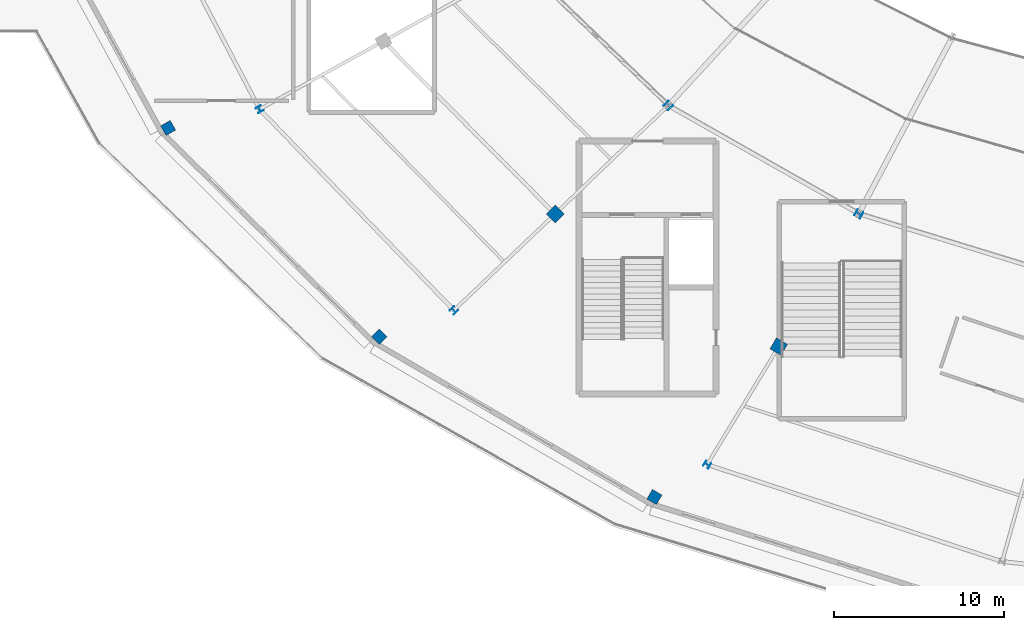
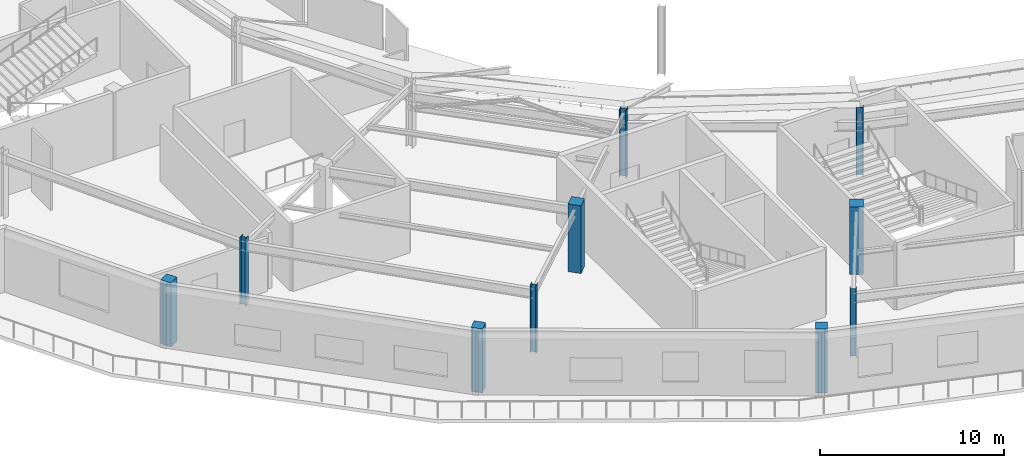
# One storey, part 1 of 63: 10 columns.
"""IFC4 building model written with IfcOpenShell, lengths in metres."""

import ifcopenshell
import ifcopenshell.guid

model = None  # the IFC model being written
_history = None  # IfcOwnerHistory: only IFC2X3 demands one
_inside = {}  # id of a spatial element -> (the spatial element, [elements in it])
_under = {}  # id of a project, library or spatial element -> (it, [spatial elements below it])
_declared = {}  # id of a project -> (the project, [libraries it declares])
_typed = {}  # id of a type object -> (the type object, [elements of that type])
_made_of = {}  # id of a material, layer set ... -> (it, [elements and type objects made of it])


def new_model(schema):
    """Start an empty IFC model of exactly this schema.

    Asked for "IFC4X3", IfcOpenShell would pick the latest addendum, in which some entities
    have other attributes; the version numbers below select the first issue.
    IFC2X3 requires an IfcOwnerHistory on every rooted entity: one is made here for all.
    """
    global model, _history
    if schema == "IFC4X3":
        model = ifcopenshell.file(schema_version=(4, 3, 0, 0))
    else:
        model = ifcopenshell.file(schema=schema)
    _inside.clear()
    _under.clear()
    _declared.clear()
    _typed.clear()
    _made_of.clear()
    _history = None
    if model.schema == "IFC2X3":
        org = make("IfcOrganization", Name="unknown")
        user = make(
            "IfcPersonAndOrganization",
            ThePerson=make("IfcPerson", FamilyName="unknown"),
            TheOrganization=org,
        )
        app = make(
            "IfcApplication",
            ApplicationDeveloper=org,
            Version="unknown",
            ApplicationFullName="unknown",
            ApplicationIdentifier="unknown",
        )
        _history = make(
            "IfcOwnerHistory",
            OwningUser=user,
            OwningApplication=app,
            ChangeAction="ADDED",
            CreationDate=0,
        )
    return model


def make(cls, **values):
    """One entity of the class cls with the attributes given. An attribute that is None is left unset."""
    return model.create_entity(
        cls, **{name: value for name, value in values.items() if value is not None}
    )


def rooted(cls, **values):
    """An entity with a GlobalId (a new one), such as an element, a storey or a relation."""
    return make(cls, GlobalId=ifcopenshell.guid.new(), OwnerHistory=_history, **values)


def si_unit(unit_type, name, prefix=None):
    """IfcSIUnit, for example si_unit("LENGTHUNIT", "METRE", prefix="MILLI")."""
    return make("IfcSIUnit", UnitType=unit_type, Prefix=prefix, Name=name)


def assignment(units):
    """IfcUnitAssignment: the units of a project."""
    return None if units is None else make("IfcUnitAssignment", Units=units)


def point(xyz):
    """IfcCartesianPoint."""
    return None if xyz is None else make("IfcCartesianPoint", Coordinates=xyz)


def direction(xyz):
    """IfcDirection."""
    return None if xyz is None else make("IfcDirection", DirectionRatios=xyz)


def frame(location, z_axis=None, x_axis=None):
    """IfcAxis2Placement3D, a coordinate frame: its origin and axes. An axis left out is left unset."""
    return make(
        "IfcAxis2Placement3D",
        Location=point(location),
        Axis=direction(z_axis),
        RefDirection=direction(x_axis),
    )


def frame_2d(location, x_axis=None):
    """IfcAxis2Placement2D, a coordinate frame in the plane: its origin and x axis."""
    return make(
        "IfcAxis2Placement2D", Location=point(location), RefDirection=direction(x_axis)
    )


def origin():
    """The frame at (0, 0, 0) with its axes left unset."""
    return frame((0.0, 0.0, 0.0))


def origin_2d():
    """The frame at (0, 0) in the plane with its x axis left unset."""
    return frame_2d((0.0, 0.0))


def place(relative_to, where):
    """IfcLocalPlacement: puts the frame where relative to a parent placement (None: the world)."""
    return make(
        "IfcLocalPlacement", PlacementRelTo=relative_to, RelativePlacement=where
    )


def context(
    kind, dimensions, precision=None, world=None, true_north=None, identifier=None
):
    """IfcGeometricRepresentationContext, for example the 3D "Model" context."""
    return make(
        "IfcGeometricRepresentationContext",
        ContextIdentifier=identifier,
        ContextType=kind,
        CoordinateSpaceDimension=dimensions,
        Precision=precision,
        WorldCoordinateSystem=world,
        TrueNorth=true_north,
    )


def subcontext(parent, identifier, kind, view, scale=None):
    """IfcGeometricRepresentationSubContext, for example "Body" below "Model"."""
    return make(
        "IfcGeometricRepresentationSubContext",
        ContextIdentifier=identifier,
        ContextType=kind,
        ParentContext=parent,
        TargetScale=scale,
        TargetView=view,
    )


def project(units=None, contexts=None):
    """IfcProject with its units and contexts."""
    return rooted(
        "IfcProject",
        Name="project",
        RepresentationContexts=contexts,
        UnitsInContext=assignment(units),
    )


def spatial(cls, under=None, at=None, **own):
    """A site, building, storey or space (cls), placed at a placement, below another one or the project."""
    s = rooted(cls, ObjectPlacement=at, **own)
    if under is not None:
        _under.setdefault(under.id(), (under, []))[1].append(s)
    return s


def profile(cls, at=None, kind="AREA", **sizes):
    """A parametric profile (cls). Its sizes go by their IFC names, for example OverallWidth=200.0."""
    return make(cls, ProfileType=kind, Position=at, **sizes)


def rectangle(**sizes):
    """IfcRectangleProfileDef."""
    return profile("IfcRectangleProfileDef", **sizes)


def i_section(**sizes):
    """IfcIShapeProfileDef."""
    return profile("IfcIShapeProfileDef", **sizes)


def extrude(swept, where, along, depth):
    """IfcExtrudedAreaSolid: the profile swept, set in the frame where, extruded along a direction by depth."""
    return make(
        "IfcExtrudedAreaSolid",
        SweptArea=swept,
        Position=where,
        ExtrudedDirection=direction(along),
        Depth=depth,
    )


def shape(context_of_items, identifier, shape_type, items):
    """IfcShapeRepresentation: the items that make up one representation, for example the "Body"."""
    return make(
        "IfcShapeRepresentation",
        ContextOfItems=context_of_items,
        RepresentationIdentifier=identifier,
        RepresentationType=shape_type,
        Items=items,
    )


def material(Name=None, Category=None):
    """IfcMaterial."""
    return make("IfcMaterial", Name=Name, Category=Category)


def material_profile(
    of_material, cross_section, Name=None, Category=None, Priority=None
):
    """IfcMaterialProfile: a cross section and its material."""
    return make(
        "IfcMaterialProfile",
        Name=Name,
        Material=of_material,
        Profile=cross_section,
        Priority=Priority,
        Category=Category,
    )


def profile_set(profiles, Name=None, composite=None):
    """IfcMaterialProfileSet."""
    return make(
        "IfcMaterialProfileSet",
        Name=Name,
        MaterialProfiles=profiles,
        CompositeProfile=composite,
    )


def made_of(thing, what):
    """Note that an element or type object is made of a material, layer set ...; save() writes the relation."""
    if what is not None:
        _made_of.setdefault(what.id(), (what, []))[1].append(thing)
    return thing


def type_object(cls, material=None, **own):
    """A type object (cls), such as IfcWallType, which elements share."""
    return made_of(rooted(cls, **own), material)


def element(
    cls,
    number,
    at=None,
    inside=None,
    cuts=None,
    type_object=None,
    material=None,
    context=None,
    identifier="Body",
    shape_type=None,
    held_by="IfcProductDefinitionShape",
    body=None,
    shapes=None,
    **own,
):
    """One element of the class cls, such as IfcWall. Its Tag is "e" and its number.

    at: its placement. inside: the storey or other place that contains it. cuts: it is an
    opening in that element (IfcRelVoidsElement). A single representation is given by context,
    identifier, shape_type and body (its items); several are given by shapes. held_by: the class
    of the entity that holds the representations. save() writes the other relations.
    """
    e = rooted(cls, Tag="e%d" % number, ObjectPlacement=at, **own)
    if body is not None:
        shapes = [shape(context, identifier, shape_type, body)]
    if shapes is not None:
        e.Representation = make(held_by, Representations=shapes)
    if inside is not None:
        _inside.setdefault(inside.id(), (inside, []))[1].append(e)
    if cuts is not None:
        rooted(
            "IfcRelVoidsElement", RelatingBuildingElement=cuts, RelatedOpeningElement=e
        )
    if type_object is not None:
        _typed.setdefault(type_object.id(), (type_object, []))[1].append(e)
    return made_of(e, material)


def aggregate(whole, parts):
    """IfcRelAggregates: a whole, such as a stair, and the parts it consists of."""
    return rooted("IfcRelAggregates", RelatingObject=whole, RelatedObjects=parts)


def save(model, path):
    """Write the relations noted so far, then the file.

    IfcRelAggregates (storeys below a building ...), IfcRelContainedInSpatialStructure (elements
    in a storey), IfcRelDefinesByType, IfcRelAssociatesMaterial and IfcRelDeclares: one each for
    every whole, place, type object, material and project.
    """
    for whole, parts in _under.values():
        aggregate(whole, parts)
    for where, things in _inside.values():
        rooted(
            "IfcRelContainedInSpatialStructure",
            RelatedElements=things,
            RelatingStructure=where,
        )
    for kind, things in _typed.values():
        rooted("IfcRelDefinesByType", RelatedObjects=things, RelatingType=kind)
    for what, things in _made_of.values():
        rooted("IfcRelAssociatesMaterial", RelatedObjects=things, RelatingMaterial=what)
    for by, libraries in _declared.values():
        rooted("IfcRelDeclares", RelatingContext=by, RelatedDefinitions=libraries)
    model.write(path)


model = new_model("IFC4")

# Units and contexts
model_context = context("Model", 3, precision=1e-05, world=origin(), true_north=direction((0.0, 1.0)))
body_context = subcontext(model_context, "Body", "Model", "MODEL_VIEW")
ifc_project = project(units=[si_unit("LENGTHUNIT", "METRE"), si_unit("AREAUNIT", "SQUARE_METRE"), si_unit("VOLUMEUNIT", "CUBIC_METRE"), si_unit("PLANEANGLEUNIT", "RADIAN"), si_unit("MASSUNIT", "GRAM", prefix="KILO")], contexts=[model_context])

# Site, building, storey
site_placement = place(None, origin())
site = spatial("IfcSite", under=ifc_project, at=site_placement, CompositionType="ELEMENT")
building_placement = place(site_placement, origin())
building = spatial("IfcBuilding", under=site, at=building_placement, Name="Kalgoora Escarpment Arena", CompositionType="ELEMENT")
storey_placement = place(building_placement, frame((0.0, 0.0, 14.39990234375)))
storey = spatial("IfcBuildingStorey", under=building, at=storey_placement, Name="L03", CompositionType="ELEMENT", Elevation=14.39990234375)

# Columns
ifc_material_1 = material(Name="Structural steel Grade 350 (350 MPa)", Category="steel")
ifc_material_profile_1 = material_profile(ifc_material_1, i_section(OverallWidth=0.35009765625, OverallDepth=0.35009765625, WebThickness=0.013916015625, FlangeThickness=0.02392578125, at=origin_2d()))
ifc_profile_set_1 = profile_set([ifc_material_profile_1], Name="Structural steel Grade 350 (350 MPa)")
column_type_1 = type_object("IfcColumnType", Name="COL-COL-350WC197", PredefinedType="COLUMN", material=ifc_profile_set_1)
for number, where, z_axis, x_axis, name in (
    (1, (30.219482421875, 35.5, 0.0), (0.0, 0.0, 1.0), (-0.866025403784, -0.5, 0.0), "L03 structural column COL-RCONC2-R15"),
    (2, (41.629638671875, 23.69482421875, 0.0), (0.0, 0.0, 1.0), (-0.707106781187, -0.707106781187, 0.0), "L03 structural column COL-RCONC2-R16"),
    (3, (56.5, 14.63671875, 0.0), (0.0, 0.0, 1.0), (-0.5, -0.866025403784, 0.0), "L03 structural column COL-RCONC2-R17"),
):
    element("IfcColumn", number, at=place(storey_placement, frame(where, z_axis=z_axis, x_axis=x_axis)), inside=storey, type_object=column_type_1, Name=name, PredefinedType="COLUMN", context=body_context, shape_type="SweptSolid", body=[
        extrude(i_section(OverallWidth=0.35009765625, OverallDepth=0.35009765625, WebThickness=0.013916015625, FlangeThickness=0.02392578125, at=origin_2d()), origin(), (0.0, 0.0, 1.0), 4.5),
    ])
ifc_material_2 = material(Name="Structural steel Grade 350 (350 MPa)", Category="steel")
ifc_material_profile_2 = material_profile(ifc_material_2, i_section(OverallWidth=0.39990234375, OverallDepth=0.39990234375, WebThickness=0.01611328125, FlangeThickness=0.028076171875, at=origin_2d()))
ifc_profile_set_2 = profile_set([ifc_material_profile_2], Name="Structural steel Grade 350 (350 MPa)")
column_type_2 = type_object("IfcColumnType", Name="COL-COL-400WC212", PredefinedType="COLUMN", material=ifc_profile_set_2)
for number, where, z_axis, x_axis, name in (
    (4, (54.21630859375, 35.7158203125, 0.0), (0.0, 0.0, 1.0), (-0.707106781187, -0.707106781187, 0.0), "L03 structural column COL-RMAIN-R16"),
    (5, (65.39990234375, 29.35888671875, 0.0), (0.0, 0.0, 1.0), (-0.5, -0.866025403784, 0.0), "L03 structural column COL-RMAIN-R17"),
):
    element("IfcColumn", number, at=place(storey_placement, frame(where, z_axis=z_axis, x_axis=x_axis)), inside=storey, type_object=column_type_2, Name=name, PredefinedType="COLUMN", context=body_context, shape_type="SweptSolid", body=[
        extrude(i_section(OverallWidth=0.39990234375, OverallDepth=0.39990234375, WebThickness=0.01611328125, FlangeThickness=0.028076171875, at=origin_2d()), origin(), (0.0, 0.0, 1.0), 4.5),
    ])
ifc_material_3 = material(Name="Concrete N50 (fc' 50 MPa)", Category="concrete")
ifc_material_profile_3 = material_profile(ifc_material_3, rectangle(XDim=0.64990234375, YDim=0.64990234375, at=origin_2d()))
ifc_profile_set_3 = profile_set([ifc_material_profile_3], Name="Concrete N50 (fc' 50 MPa)")
column_type_3 = type_object("IfcColumnType", Name="COL-COL-RC650x650", PredefinedType="COLUMN", material=ifc_profile_set_3)
for number, where, z_axis, x_axis, name in (
    (6, (24.85009765625, 34.39990234375, 0.0), (0.0, 0.0, 1.0), (-0.866025403784, -0.5, 0.0), "L03 structural column COL-RBASE1-R15"),
    (7, (37.24560546875, 22.139404296875, 0.0), (0.0, 0.0, 1.0), (-0.707106781187, -0.707106781187, 0.0), "L03 structural column COL-RBASE1-R16"),
    (8, (53.39990234375, 12.731201171875, 0.0), (0.0, 0.0, 1.0), (-0.5, -0.866025403784, 0.0), "L03 structural column COL-RBASE1-R17"),
):
    element("IfcColumn", number, at=place(storey_placement, frame(where, z_axis=z_axis, x_axis=x_axis)), inside=storey, type_object=column_type_3, Name=name, PredefinedType="COLUMN", context=body_context, shape_type="SweptSolid", body=[
        extrude(rectangle(XDim=0.64990234375, YDim=0.64990234375, at=origin_2d()), origin(), (0.0, 0.0, 1.0), 4.260009765625),
    ])
ifc_material_4 = material(Name="Concrete N50 (fc' 50 MPa)", Category="concrete")
ifc_material_profile_4 = material_profile(ifc_material_4, rectangle(XDim=0.75, YDim=0.75, at=origin_2d()))
ifc_profile_set_4 = profile_set([ifc_material_profile_4], Name="Concrete N50 (fc' 50 MPa)")
column_type_4 = type_object("IfcColumnType", Name="COL-COL-RC750x750", PredefinedType="COLUMN", material=ifc_profile_set_4)
for number, where, z_axis, x_axis, name in (
    (9, (47.5693359375, 29.351806640625, 0.0), (0.0, 0.0, 1.0), (-0.707106781187, -0.707106781187, 0.0), "L03 structural column COL-RCONC1-R16"),
    (10, (60.699951171875, 21.564697265625, 0.0), (0.0, 0.0, 1.0), (-0.5, -0.866025403784, 0.0), "L03 structural column COL-RCONC1-R17"),
):
    element("IfcColumn", number, at=place(storey_placement, frame(where, z_axis=z_axis, x_axis=x_axis)), inside=storey, type_object=column_type_4, Name=name, PredefinedType="COLUMN", context=body_context, shape_type="SweptSolid", body=[
        extrude(rectangle(XDim=0.75, YDim=0.75, at=origin_2d()), origin(), (0.0, 0.0, 1.0), 4.5),
    ])

save(model, "model.ifc")
